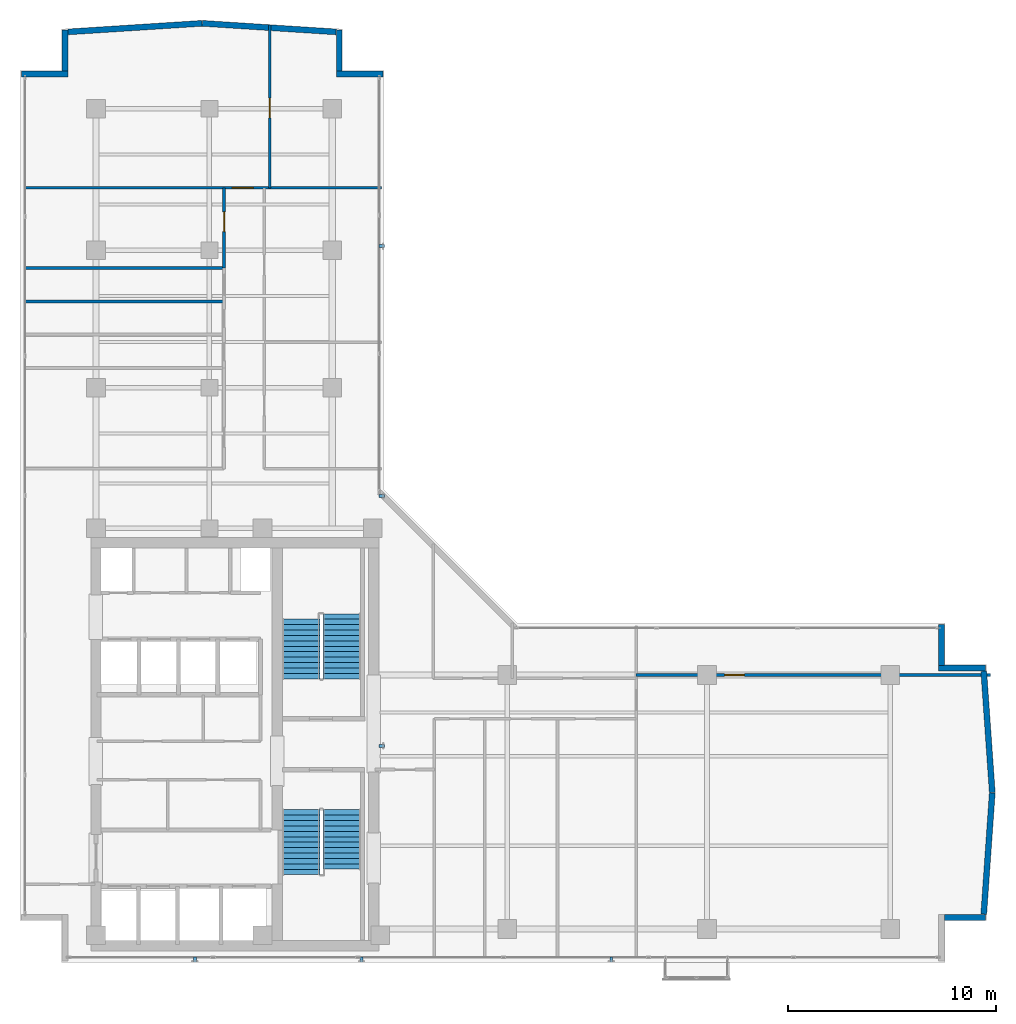
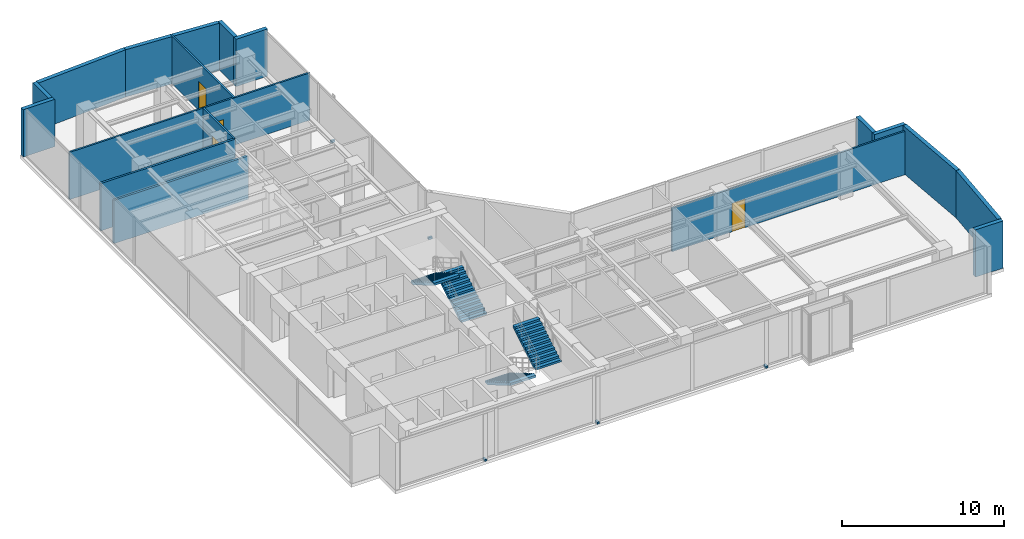
# One storey, part 19 of 24: 17 walls, 6 discrete accessories, 4 doors, 4 stair flights, 4 openings, 2 elements without a shape of their own.
"""IFC4 building model written with IfcOpenShell, lengths in metres."""

from ifc_helpers import new_model, si_unit, direction, frame, frame_2d, origin, origin_with_axes, origin_2d, place, context, subcontext, project, spatial, polyline, rectangle, outline, extrude, source, transform, mapped, material, layer, layer_set, type_object, element, fill, aggregate, save


model = new_model("IFC4")

# Units and contexts
model_context = context("Model", 3, precision=1e-05, world=origin(), true_north=direction((0.0, 1.0)))
body_context = subcontext(model_context, "Body", "Model", "MODEL_VIEW")
ifc_project = project(units=[si_unit("LENGTHUNIT", "METRE"), si_unit("AREAUNIT", "SQUARE_METRE"), si_unit("VOLUMEUNIT", "CUBIC_METRE"), si_unit("PLANEANGLEUNIT", "RADIAN"), si_unit("MASSUNIT", "GRAM", prefix="KILO")], contexts=[model_context])

# Site, building, storey
site_placement = place(None, origin())
site = spatial("IfcSite", under=ifc_project, at=site_placement, CompositionType="ELEMENT")
building_placement = place(site_placement, origin())
building = spatial("IfcBuilding", under=site, at=building_placement, Name="Kolvaren Waterfront Exchange", CompositionType="ELEMENT")
storey_placement = place(building_placement, frame((0.0, 0.0, 300.800048828125)))
storey = spatial("IfcBuildingStorey", under=building, at=storey_placement, Name="L77", CompositionType="ELEMENT", Elevation=300.800048828125)

# Walls
ifc_material_1 = material(Name="Precast concrete C40/50", Category="concrete")
ifc_layer_1 = layer(ifc_material_1, 0.280029296875, Name="Precast concrete C40/50")
ifc_layer_set_1 = layer_set([ifc_layer_1], Name="Precast concrete C40/50")
wall_type_1 = type_object("IfcWallType", Name="ARC-EXT-TERR-280", PredefinedType="SOLIDWALL", material=ifc_layer_set_1)
wall_1_placement = place(storey_placement, frame((48.211669921875, 5.760009765625, 0.0), z_axis=(0.0, 0.0, 1.0), x_axis=(1.0, 0.0, 0.0)))
element("IfcWall", 1, at=wall_1_placement, inside=storey, type_object=wall_type_1, Name="L77 notched corner spandrel pier SE-B", PredefinedType="SOLIDWALL", context=body_context, shape_type="SweptSolid", body=[
    extrude(rectangle(XDim=1.9599609375, YDim=0.280029296875, at=frame_2d((0.97998046875, 0.0))), origin(), (0.0, 0.0, 1.0), 3.56005859375),
])
wall_2_placement = place(storey_placement, frame((48.071533203125, 17.859619140625, 0.0), z_axis=(0.0, 0.0, 1.0), x_axis=(0.0, 1.0, 0.0)))
element("IfcWall", 2, at=wall_2_placement, inside=storey, type_object=wall_type_1, Name="L77 notched corner spandrel pier ENE-A", PredefinedType="SOLIDWALL", context=body_context, shape_type="SweptSolid", body=[
    extrude(rectangle(XDim=1.97509765625, YDim=0.280029296875, at=frame_2d((0.987548828125, 0.0))), origin(), (0.0, 0.0, 1.0), 3.56005859375),
])
for number, where, z_axis, x_axis, name in (
    (3, (47.931640625, 17.734619140625, 0.0), (0.0, 0.0, 1.0), (1.0, 0.0, 0.0), "L77 notched corner spandrel pier ENE-B"),
    (4, (18.99462890625, 46.271484375, 0.0), (0.0, 0.0, 1.0), (1.0, 0.0, 0.0), "L77 notched corner spandrel pier NNE-A"),
):
    element("IfcWall", number, at=place(storey_placement, frame(where, z_axis=z_axis, x_axis=x_axis)), inside=storey, type_object=wall_type_1, Name=name, PredefinedType="SOLIDWALL", context=body_context, shape_type="SweptSolid", body=[
        extrude(rectangle(XDim=2.239990234375, YDim=0.280029296875, at=frame_2d((1.1201171875, 0.0))), origin(), (0.0, 0.0, 1.0), 3.56005859375),
    ])
wall_3_placement = place(storey_placement, frame((19.134765625, 46.41162109375, 0.0), z_axis=(0.0, 0.0, 1.0), x_axis=(0.0, 1.0, 0.0)))
element("IfcWall", 5, at=wall_3_placement, inside=storey, type_object=wall_type_1, Name="L77 notched corner spandrel pier NNE-B", PredefinedType="SOLIDWALL", context=body_context, shape_type="SweptSolid", body=[
    extrude(rectangle(XDim=1.9599609375, YDim=0.280029296875, at=frame_2d((0.97998046875, 0.0))), origin(), (0.0, 0.0, 1.0), 3.56005859375),
])
wall_4_placement = place(storey_placement, frame((3.860107421875, 46.271484375, 0.0), z_axis=(0.0, 0.0, 1.0), x_axis=(1.0, 0.0, 0.0)))
element("IfcWall", 6, at=wall_4_placement, inside=storey, type_object=wall_type_1, Name="L77 notched corner spandrel pier NW-A", PredefinedType="SOLIDWALL", context=body_context, shape_type="SweptSolid", body=[
    extrude(rectangle(XDim=2.239990234375, YDim=0.280029296875, at=frame_2d((1.1201171875, 0.0))), origin(), (0.0, 0.0, 1.0), 3.56005859375),
])
wall_5_placement = place(storey_placement, frame((5.9599609375, 46.41162109375, 0.0), z_axis=(0.0, 0.0, 1.0), x_axis=(0.0, 1.0, 0.0)))
element("IfcWall", 7, at=wall_5_placement, inside=storey, type_object=wall_type_1, Name="L77 notched corner spandrel pier NW-B", PredefinedType="SOLIDWALL", context=body_context, shape_type="SweptSolid", body=[
    extrude(rectangle(XDim=1.9599609375, YDim=0.280029296875, at=frame_2d((0.97998046875, 0.0))), origin(), (0.0, 0.0, 1.0), 3.56005859375),
])
for number, where, z_axis, x_axis, name in (
    (8, (50.093017578125, 5.910400390625, 0.0), (0.0, 0.0, 1.0), (0.070035380172, 0.997544508042, 0.0), "L77 east prow faceted facade wall 1"),
    (9, (50.502197265625, 11.756103515625, 0.0), (0.0, 0.0, 1.0), (-0.070035380172, 0.997544508042, 0.0), "L77 east prow faceted facade wall 2"),
):
    element("IfcWall", number, at=place(storey_placement, frame(where, z_axis=z_axis, x_axis=x_axis)), inside=storey, type_object=wall_type_1, Name=name, PredefinedType="SOLIDWALL", context=body_context, shape_type="SweptSolid", body=[
        extrude(rectangle(XDim=5.842529296875, YDim=0.280029296875, at=frame_2d((2.92138671875, 0.0))), origin(), (0.0, 0.0, 1.0), 3.56005859375),
    ])
for number, where, z_axis, x_axis, name in (
    (10, (18.985107421875, 48.291015625, 0.0), (0.0, 0.0, 1.0), (-0.997960820481, 0.063829466432, 0.0), "L77 north prow faceted facade wall 1"),
    (11, (12.53759765625, 48.7021484375, 0.0), (0.0, 0.0, 1.0), (-0.997960820481, -0.063829466432, 0.0), "L77 north prow faceted facade wall 2"),
):
    element("IfcWall", number, at=place(storey_placement, frame(where, z_axis=z_axis, x_axis=x_axis)), inside=storey, type_object=wall_type_1, Name=name, PredefinedType="SOLIDWALL", context=body_context, shape_type="SweptSolid", body=[
        extrude(rectangle(XDim=6.441162109375, YDim=0.280029296875, at=frame_2d((3.220703125, 0.0))), origin(), (0.0, 0.0, 1.0), 3.56005859375),
    ])

# Wall, opening, door
ifc_material_2 = material(Name="Acoustic gypsum steel stud", Category="steel")
ifc_layer_2 = layer(ifc_material_2, 0.125, Name="Acoustic gypsum steel stud")
ifc_layer_set_2 = layer_set([ifc_layer_2], Name="Acoustic gypsum steel stud")
wall_type_2 = type_object("IfcWallType", Name="ARC-PART-125", PredefinedType="PARTITIONING", material=ifc_layer_set_2)
wall_6_placement = place(storey_placement, frame((33.39990234375, 17.39990234375, 0.0), z_axis=(0.0, 0.0, 1.0), x_axis=(1.0, 0.0, 0.0)))
wall_6 = element("IfcWall", 12, at=wall_6_placement, inside=storey, type_object=wall_type_2, Name="L77 interior wall PW-L77-ETIP-MID", PredefinedType="PARTITIONING", context=body_context, shape_type="SweptSolid", body=[
    extrude(rectangle(XDim=17.023193359375, YDim=0.125, at=frame_2d((8.51171875, 0.0))), origin(), (0.0, 0.0, 1.0), 3.260009765625),
])
opening_1_placement = place(wall_6_placement, frame((4.24365234375, 0.0, 0.0)))
opening_1 = element("IfcOpeningElement", 13, at=opening_1_placement, cuts=wall_6, Name="Opening D02", PredefinedType="OPENING", context=body_context, shape_type="SweptSolid", body=[
    extrude(rectangle(XDim=0.949951171875, YDim=2.14990234375, at=frame_2d((0.47509765625, 1.074951171875))), frame((0.0, 0.072509765625, 0.0), z_axis=(0.0, -1.0, 0.0), x_axis=(1.0, 0.0, 0.0)), (0.0, 0.0, 1.0), 0.14501953125),
])
ifc_material_3 = material(Name="Oak veneer acoustic timber", Category="wood")
door_type_1 = type_object("IfcDoorType", Name="ARC-DR-950", OperationType="NOTDEFINED", PredefinedType="DOOR", material=ifc_material_3)
door_1_placement = place(opening_1_placement, origin())
door_1 = element("IfcDoor", 14, at=door_1_placement, inside=storey, type_object=door_type_1, Name="L77 door DR-L77-ETIP2-D (D02)", OperationType="SINGLE_SWING_RIGHT", OverallHeight=2.14990234375, OverallWidth=0.949951171875, PredefinedType="DOOR", context=body_context, shape_type="SweptSolid", body=[
    extrude(rectangle(XDim=0.949951171875, YDim=2.14990234375, at=frame_2d((0.47509765625, 1.074951171875))), frame((0.0, 0.02490234375, 0.0), z_axis=(0.0, -1.0, 0.0), x_axis=(1.0, 0.0, 0.0)), (0.0, 0.0, 1.0), 0.050048828125),
])
fill(opening_1, door_1)

wall_7_placement = place(storey_placement, frame((13.60009765625, 36.949951171875, 0.0), z_axis=(0.0, 0.0, 1.0), x_axis=(0.0, 1.0, 0.0)))
wall_7 = element("IfcWall", 15, at=wall_7_placement, inside=storey, type_object=wall_type_2, Name="L77 interior wall PW-L77-NW-CORR", PredefinedType="PARTITIONING", context=body_context, shape_type="SweptSolid", body=[
    extrude(rectangle(XDim=3.85009765625, YDim=0.125, at=frame_2d((1.925048828125, 0.0))), origin(), (0.0, 0.0, 1.0), 3.56005859375),
])
opening_2_placement = place(wall_7_placement, frame((1.75, 0.0, 0.0)))
opening_2 = element("IfcOpeningElement", 16, at=opening_2_placement, cuts=wall_7, Name="Opening D02", PredefinedType="OPENING", context=body_context, shape_type="SweptSolid", body=[
    extrude(rectangle(XDim=0.949951171875, YDim=2.14990234375, at=frame_2d((0.47509765625, 1.074951171875))), frame((0.0, 0.072509765625, 0.0), z_axis=(0.0, -1.0, 0.0), x_axis=(1.0, 0.0, 0.0)), (0.0, 0.0, 1.0), 0.14501953125),
])
door_2_placement = place(opening_2_placement, origin())
door_2 = element("IfcDoor", 17, at=door_2_placement, inside=storey, type_object=door_type_1, Name="L77 door DR-L77-NW-D-1 (D02)", OperationType="SINGLE_SWING_LEFT", OverallHeight=2.14990234375, OverallWidth=0.949951171875, PredefinedType="DOOR", context=body_context, shape_type="SweptSolid", body=[
    extrude(rectangle(XDim=0.949951171875, YDim=2.14990234375, at=frame_2d((0.47509765625, 1.074951171875))), frame((0.0, 0.02490234375, 0.0), z_axis=(0.0, -1.0, 0.0), x_axis=(1.0, 0.0, 0.0)), (0.0, 0.0, 1.0), 0.050048828125),
])
fill(opening_2, door_2)

wall_8_placement = place(storey_placement, frame((4.0400390625, 40.800048828125, 0.0), z_axis=(0.0, 0.0, 1.0), x_axis=(1.0, 0.0, 0.0)))
wall_8 = element("IfcWall", 18, at=wall_8_placement, inside=storey, type_object=wall_type_2, Name="L77 interior wall PW-L77-NTIP-S", PredefinedType="PARTITIONING", context=body_context, shape_type="SweptSolid", body=[
    extrude(rectangle(XDim=17.119873046875, YDim=0.125, at=frame_2d((8.56005859375, 0.0))), origin(), (0.0, 0.0, 1.0), 3.56005859375),
])
opening_3_placement = place(wall_8_placement, frame((9.9599609375, 0.0, 0.0)))
opening_3 = element("IfcOpeningElement", 19, at=opening_3_placement, cuts=wall_8, Name="Opening D03", PredefinedType="OPENING", context=body_context, shape_type="SweptSolid", body=[
    extrude(rectangle(XDim=1.0, YDim=2.199951171875, at=frame_2d((0.5, 1.10009765625))), frame((0.0, 0.072509765625, 0.0), z_axis=(0.0, -1.0, 0.0), x_axis=(1.0, 0.0, 0.0)), (0.0, 0.0, 1.0), 0.14501953125),
])
ifc_material_4 = material(Name="Oak veneer accessible timber", Category="wood")
door_type_2 = type_object("IfcDoorType", Name="ARC-DR-1000", OperationType="NOTDEFINED", PredefinedType="DOOR", material=ifc_material_4)
door_3_placement = place(opening_3_placement, origin())
door_3 = element("IfcDoor", 20, at=door_3_placement, inside=storey, type_object=door_type_2, Name="L77 door DR-L77-NTIPW-D (D03)", OperationType="SINGLE_SWING_RIGHT", OverallHeight=2.199951171875, OverallWidth=1.0, PredefinedType="DOOR", context=body_context, shape_type="SweptSolid", body=[
    extrude(rectangle(XDim=1.0, YDim=2.199951171875, at=frame_2d((0.5, 1.10009765625))), frame((0.0, 0.02490234375, 0.0), z_axis=(0.0, -1.0, 0.0), x_axis=(1.0, 0.0, 0.0)), (0.0, 0.0, 1.0), 0.050048828125),
])
fill(opening_3, door_3)

wall_9_placement = place(storey_placement, frame((15.800048828125, 40.800048828125, 0.0), z_axis=(0.0, 0.0, 1.0), x_axis=(0.0, 1.0, 0.0)))
wall_9 = element("IfcWall", 21, at=wall_9_placement, inside=storey, type_object=wall_type_2, Name="L77 interior wall PW-L77-NTIP-DIV", PredefinedType="PARTITIONING", context=body_context, shape_type="SweptSolid", body=[
    extrude(rectangle(XDim=7.8232421875, YDim=0.125, at=frame_2d((3.91162109375, 0.0))), origin(), (0.0, 0.0, 1.0), 3.56005859375),
])
opening_4_placement = place(wall_9_placement, frame((3.3603515625, 0.0, 0.0)))
opening_4 = element("IfcOpeningElement", 22, at=opening_4_placement, cuts=wall_9, Name="Opening D02", PredefinedType="OPENING", context=body_context, shape_type="SweptSolid", body=[
    extrude(rectangle(XDim=0.949951171875, YDim=2.14990234375, at=frame_2d((0.47509765625, 1.074951171875))), frame((0.0, 0.072509765625, 0.0), z_axis=(0.0, -1.0, 0.0), x_axis=(1.0, 0.0, 0.0)), (0.0, 0.0, 1.0), 0.14501953125),
])
door_4_placement = place(opening_4_placement, origin())
door_4 = element("IfcDoor", 23, at=door_4_placement, inside=storey, type_object=door_type_1, Name="L77 door DR-L77-NTIPE-D (D02)", OperationType="SINGLE_SWING_LEFT", OverallHeight=2.14990234375, OverallWidth=0.949951171875, PredefinedType="DOOR", context=body_context, shape_type="SweptSolid", body=[
    extrude(rectangle(XDim=0.949951171875, YDim=2.14990234375, at=frame_2d((0.47509765625, 1.074951171875))), frame((0.0, 0.02490234375, 0.0), z_axis=(0.0, -1.0, 0.0), x_axis=(1.0, 0.0, 0.0)), (0.0, 0.0, 1.0), 0.050048828125),
])
fill(opening_4, door_4)

# Walls
ifc_material_5 = material(Name="Moisture-resistant gypsum stud")
ifc_layer_3 = layer(ifc_material_5, 0.14990234375, Name="Moisture-resistant gypsum stud")
ifc_layer_set_3 = layer_set([ifc_layer_3], Name="Moisture-resistant gypsum stud")
wall_type_3 = type_object("IfcWallType", Name="ARC-PLUMB-150", PredefinedType="PLUMBINGWALL", material=ifc_layer_set_3)
wall_10_placement = place(storey_placement, frame((4.0400390625, 35.35009765625, 0.0), z_axis=(0.0, 0.0, 1.0), x_axis=(1.0, 0.0, 0.0)))
element("IfcWall", 24, at=wall_10_placement, inside=storey, type_object=wall_type_3, Name="L77 interior wall PW-L77-WC-2", PredefinedType="PLUMBINGWALL", context=body_context, shape_type="SweptSolid", body=[
    extrude(rectangle(XDim=9.56005859375, YDim=0.14990234375, at=frame_2d((4.780029296875, 0.0))), origin(), (0.0, 0.0, 1.0), 3.260009765625),
])
wall_11_placement = place(storey_placement, frame((4.0400390625, 36.949951171875, 0.0), z_axis=(0.0, 0.0, 1.0), x_axis=(1.0, 0.0, 0.0)))
element("IfcWall", 25, at=wall_11_placement, inside=storey, type_object=wall_type_3, Name="L77 interior wall PW-L77-WC-3", PredefinedType="PLUMBINGWALL", context=body_context, shape_type="SweptSolid", body=[
    extrude(rectangle(XDim=9.56005859375, YDim=0.14990234375, at=frame_2d((4.780029296875, 0.0))), origin(), (0.0, 0.0, 1.0), 3.56005859375),
])

# Stair, stair flights
ifc_material_6 = material(Name="Concrete C40/50", Category="concrete")
stair_type = type_object("IfcStairType", Name="ARC-STAIR-3800", PredefinedType="HALF_TURN_STAIR", material=ifc_material_6)
stair_1_placement = place(storey_placement, origin())
stair_1 = element("IfcStair", 26, at=stair_1_placement, inside=storey, type_object=stair_type, Name="L77 Smoke-proof exit stair ST1", PredefinedType="HALF_TURN_STAIR")
stair_flight_type = type_object("IfcStairFlightType", Name="ARC-FLIGHT-3800", PredefinedType="STRAIGHT", material=ifc_material_6)
stair_flight_1_placement = place(storey_placement, frame((17.300048828125, 10.929931640625, 0.0), z_axis=(0.0, 0.0, 1.0), x_axis=(0.0, -1.0, 0.0)))
stair_flight_1 = element("IfcStairFlight", 27, at=stair_flight_1_placement, type_object=stair_flight_type, Name="ST1 flight 1", NumberOfRisers=13, NumberOfTreads=12, PredefinedType="STRAIGHT", RiserHeight=0.152, TreadLength=0.26, context=body_context, shape_type="SweptSolid", body=[
    extrude(outline(polyline([(0.0, 0.0), (0.0, 0.152099609375), (0.260009765625, 0.152099609375), (0.260009765625, 0.303955078125), (0.52001953125, 0.303955078125), (0.52001953125, 0.4560546875), (0.780029296875, 0.4560546875), (0.780029296875, 0.60791015625), (1.0400390625, 0.60791015625), (1.0400390625, 0.760009765625), (1.300048828125, 0.760009765625), (1.300048828125, 0.912109375), (1.56005859375, 0.912109375), (1.56005859375, 1.06396484375), (1.820068359375, 1.06396484375), (1.820068359375, 1.216064453125), (2.080078125, 1.216064453125), (2.080078125, 1.367919921875), (2.340087890625, 1.367919921875), (2.340087890625, 1.52001953125), (2.60009765625, 1.52001953125), (2.60009765625, 1.672119140625), (2.860107421875, 1.672119140625), (2.860107421875, 1.823974609375), (3.1201171875, 1.823974609375), (3.1201171875, 1.97607421875), (3.1201171875, 1.650390625), (0.297119140625, 0.0), (0.0, 0.0)])), frame((0.0, 0.89990234375, 0.0), z_axis=(0.0, -1.0, 0.0), x_axis=(1.0, 0.0, 0.0)), (0.0, 0.0, 1.0), 1.800048828125),
])
stair_flight_2_placement = place(storey_placement, frame((19.260009765625, 8.070068359375, 1.975830078125), z_axis=(0.0, 0.0, 1.0), x_axis=(0.0, 1.0, 0.0)))
stair_flight_2 = element("IfcStairFlight", 28, at=stair_flight_2_placement, type_object=stair_flight_type, Name="ST1 flight 2", NumberOfRisers=12, NumberOfTreads=11, PredefinedType="STRAIGHT", RiserHeight=0.152, TreadLength=0.26, context=body_context, shape_type="SweptSolid", body=[
    extrude(outline(polyline([(0.0, 0.0), (0.0, 0.152099609375), (0.260009765625, 0.152099609375), (0.260009765625, 0.303955078125), (0.52001953125, 0.303955078125), (0.52001953125, 0.4560546875), (0.780029296875, 0.4560546875), (0.780029296875, 0.60791015625), (1.0400390625, 0.60791015625), (1.0400390625, 0.760009765625), (1.300048828125, 0.760009765625), (1.300048828125, 0.912109375), (1.56005859375, 0.912109375), (1.56005859375, 1.06396484375), (1.820068359375, 1.06396484375), (1.820068359375, 1.216064453125), (2.080078125, 1.216064453125), (2.080078125, 1.367919921875), (2.340087890625, 1.367919921875), (2.340087890625, 1.52001953125), (2.60009765625, 1.52001953125), (2.60009765625, 1.672119140625), (2.860107421875, 1.672119140625), (2.860107421875, 1.823974609375), (2.860107421875, 1.498291015625), (0.297119140625, 0.0), (0.0, 0.0)])), frame((0.0, 0.89990234375, 0.0), z_axis=(0.0, -1.0, 0.0), x_axis=(1.0, 0.0, 0.0)), (0.0, 0.0, 1.0), 1.800048828125),
])
aggregate(stair_1, [stair_flight_1, stair_flight_2])

stair_2_placement = place(storey_placement, origin())
stair_2 = element("IfcStair", 29, at=stair_2_placement, inside=storey, type_object=stair_type, Name="L77 Smoke-proof exit stair ST2", PredefinedType="HALF_TURN_STAIR")
stair_flight_3_placement = place(storey_placement, frame((19.260009765625, 17.219970703125, 0.0), z_axis=(0.0, 0.0, 1.0), x_axis=(0.0, 1.0, 0.0)))
stair_flight_3 = element("IfcStairFlight", 30, at=stair_flight_3_placement, type_object=stair_flight_type, Name="ST2 flight 1", NumberOfRisers=13, NumberOfTreads=12, PredefinedType="STRAIGHT", RiserHeight=0.152, TreadLength=0.26, context=body_context, shape_type="SweptSolid", body=[
    extrude(outline(polyline([(0.0, 0.0), (0.0, 0.152099609375), (0.260009765625, 0.152099609375), (0.260009765625, 0.303955078125), (0.52001953125, 0.303955078125), (0.52001953125, 0.4560546875), (0.780029296875, 0.4560546875), (0.780029296875, 0.60791015625), (1.0400390625, 0.60791015625), (1.0400390625, 0.760009765625), (1.300048828125, 0.760009765625), (1.300048828125, 0.912109375), (1.56005859375, 0.912109375), (1.56005859375, 1.06396484375), (1.820068359375, 1.06396484375), (1.820068359375, 1.216064453125), (2.080078125, 1.216064453125), (2.080078125, 1.367919921875), (2.340087890625, 1.367919921875), (2.340087890625, 1.52001953125), (2.60009765625, 1.52001953125), (2.60009765625, 1.672119140625), (2.860107421875, 1.672119140625), (2.860107421875, 1.823974609375), (3.1201171875, 1.823974609375), (3.1201171875, 1.97607421875), (3.1201171875, 1.650390625), (0.297119140625, 0.0), (0.0, 0.0)])), frame((0.0, 0.89990234375, 0.0), z_axis=(0.0, -1.0, 0.0), x_axis=(1.0, 0.0, 0.0)), (0.0, 0.0, 1.0), 1.800048828125),
])
stair_flight_4_placement = place(storey_placement, frame((17.300048828125, 20.080078125, 1.975830078125), z_axis=(0.0, 0.0, 1.0), x_axis=(0.0, -1.0, 0.0)))
stair_flight_4 = element("IfcStairFlight", 31, at=stair_flight_4_placement, type_object=stair_flight_type, Name="ST2 flight 2", NumberOfRisers=12, NumberOfTreads=11, PredefinedType="STRAIGHT", RiserHeight=0.152, TreadLength=0.26, context=body_context, shape_type="SweptSolid", body=[
    extrude(outline(polyline([(0.0, 0.0), (0.0, 0.152099609375), (0.260009765625, 0.152099609375), (0.260009765625, 0.303955078125), (0.52001953125, 0.303955078125), (0.52001953125, 0.4560546875), (0.780029296875, 0.4560546875), (0.780029296875, 0.60791015625), (1.0400390625, 0.60791015625), (1.0400390625, 0.760009765625), (1.300048828125, 0.760009765625), (1.300048828125, 0.912109375), (1.56005859375, 0.912109375), (1.56005859375, 1.06396484375), (1.820068359375, 1.06396484375), (1.820068359375, 1.216064453125), (2.080078125, 1.216064453125), (2.080078125, 1.367919921875), (2.340087890625, 1.367919921875), (2.340087890625, 1.52001953125), (2.60009765625, 1.52001953125), (2.60009765625, 1.672119140625), (2.860107421875, 1.672119140625), (2.860107421875, 1.823974609375), (2.860107421875, 1.498291015625), (0.297119140625, 0.0), (0.0, 0.0)])), frame((0.0, 0.89990234375, 0.0), z_axis=(0.0, -1.0, 0.0), x_axis=(1.0, 0.0, 0.0)), (0.0, 0.0, 1.0), 1.800048828125),
])
aggregate(stair_2, [stair_flight_3, stair_flight_4])

# Discrete accessories
ifc_material_7 = material(Name="Stainless steel 316", Category="steel")
discrete_accessory_type = type_object("IfcDiscreteAccessoryType", Name="ARC-BRK-FIN", PredefinedType="BRACKET", material=ifc_material_7)
shared_shape = source(origin_with_axes(), body_context, "Body", "SweptSolid", [
    extrude(rectangle(XDim=0.280029296875, YDim=0.139892578125, at=origin_2d()), origin(), (0.0, 0.0, 1.0), 0.159912109375),
])
for number, where, z_axis, x_axis, name in (
    (32, (12.199951171875, 3.719970703125, 0.0), (0.0, 0.0, 1.0), (0.0, -1.0, 0.0), "L77 bronze fin anchor bracket FIN-L77-S1"),
    (33, (20.199951171875, 3.719970703125, 0.0), (0.0, 0.0, 1.0), (0.0, -1.0, 0.0), "L77 bronze fin anchor bracket FIN-L77-S2"),
    (34, (32.199951171875, 3.719970703125, 0.0), (0.0, 0.0, 1.0), (0.0, -1.0, 0.0), "L77 bronze fin anchor bracket FIN-L77-S3"),
    (35, (21.1748046875, 14.0, 0.0), (0.0, 0.0, 1.0), (1.0, 0.0, 0.0), "L77 bronze fin anchor bracket FIN-L77-E1"),
    (36, (21.1748046875, 26.0, 0.0), (0.0, 0.0, 1.0), (1.0, 0.0, 0.0), "L77 bronze fin anchor bracket FIN-L77-E2"),
    (37, (21.1748046875, 38.0, 0.0), (0.0, 0.0, 1.0), (1.0, 0.0, 0.0), "L77 bronze fin anchor bracket FIN-L77-E3"),
):
    element("IfcDiscreteAccessory", number, at=place(storey_placement, frame(where, z_axis=z_axis, x_axis=x_axis)), inside=storey, type_object=discrete_accessory_type, Name=name, PredefinedType="BRACKET", context=body_context, shape_type="MappedRepresentation", body=[
        mapped(shared_shape, transform((0.0, 0.0, 0.0), x_axis=(1.0, 0.0, 0.0), y_axis=(0.0, 1.0, 0.0), z_axis=(0.0, 0.0, 1.0), scale=1.0)),
    ])

save(model, "model.ifc")
